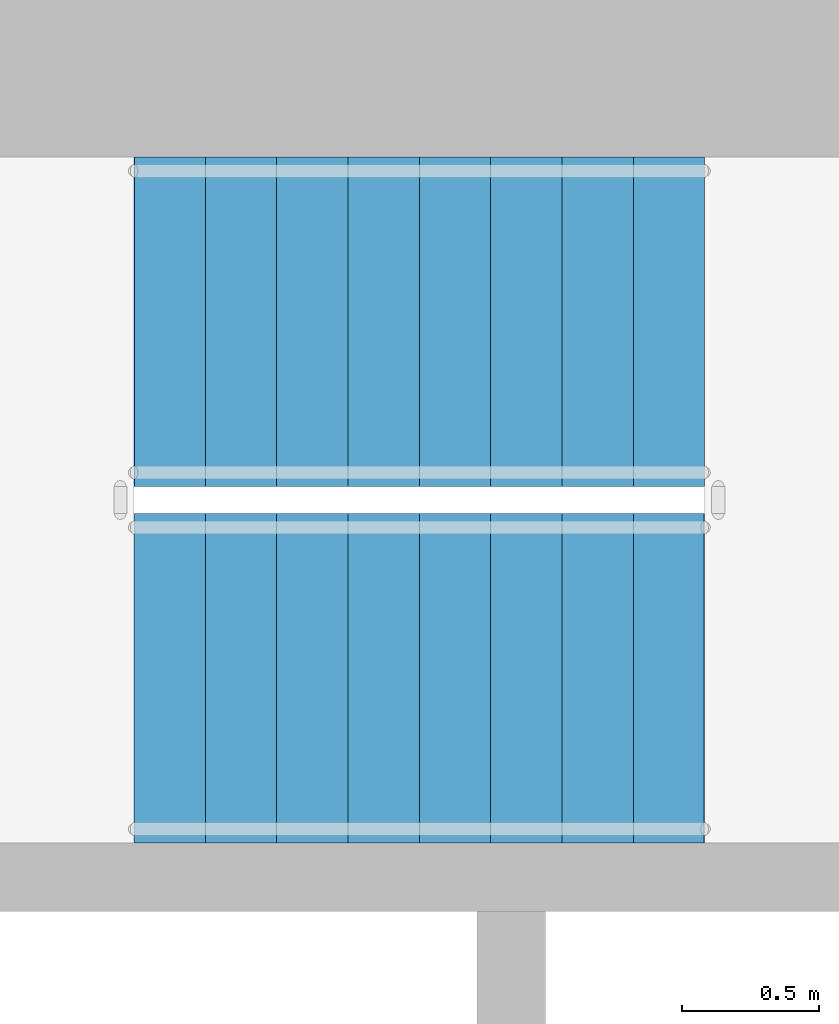
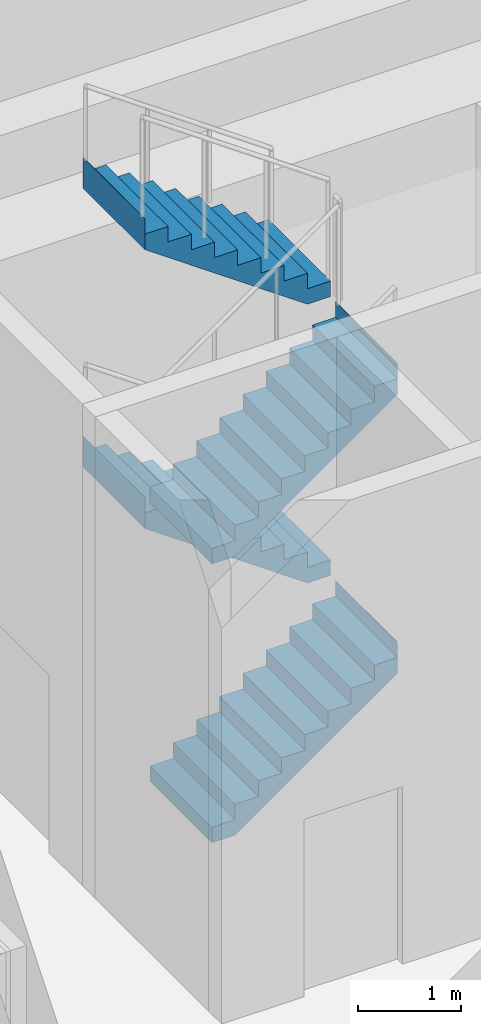
# One storey, part 11 of 18: 4 stair flights, 1 element without a shape of its own.
"""IFC4 building model written with IfcOpenShell, lengths in metres."""

from ifc_helpers import new_model, si_unit, direction, frame, origin, place, context, subcontext, project, spatial, triangles, material, type_object, element, aggregate, save


model = new_model("IFC4")

# Units and contexts
model_context = context("Model", 3, precision=1e-05, world=origin(), true_north=direction((0.0, 1.0)))
body_context = subcontext(model_context, "Body", "Model", "MODEL_VIEW")
ifc_project = project(units=[si_unit("LENGTHUNIT", "METRE"), si_unit("AREAUNIT", "SQUARE_METRE"), si_unit("VOLUMEUNIT", "CUBIC_METRE"), si_unit("PLANEANGLEUNIT", "RADIAN"), si_unit("MASSUNIT", "GRAM", prefix="KILO")], contexts=[model_context])

# Site, building, storey
site_placement = place(None, origin())
site = spatial("IfcSite", under=ifc_project, at=site_placement, CompositionType="ELEMENT")
building_placement = place(site_placement, origin())
building = spatial("IfcBuilding", under=site, at=building_placement, Name="Sahrelin Media Tower", CompositionType="ELEMENT")
storey_placement = place(building_placement, frame((0.0, 0.0, 203.0)))
storey = spatial("IfcBuildingStorey", under=building, at=storey_placement, Name="L43", CompositionType="ELEMENT", Elevation=203.0)

# Stair, stair flights
ifc_material = material(Name="Concrete C40/50", Category="concrete")
stair_type = type_object("IfcStairType", Name="Exit stair 1200", PredefinedType="HALF_TURN_STAIR", material=ifc_material)
stair_placement = place(storey_placement, origin())
stair = element("IfcStair", 1, at=stair_placement, inside=storey, type_object=stair_type, Name="L43 Exit stair ST1", PredefinedType="HALF_TURN_STAIR")
stair_flight_type = type_object("IfcStairFlightType", Name="Stair flight 1200", PredefinedType="STRAIGHT", material=ifc_material)
stair_flight_1_placement = place(storey_placement, frame((-7.675048828125, 4.699951171875, 0.0), z_axis=(0.0, 0.0, 1.0), x_axis=(1.0, 0.0, 0.0)))
stair_flight_1 = element("IfcStairFlight", 2, at=stair_flight_1_placement, type_object=stair_flight_type, Name="ST1 flight 1", NumberOfRisers=9, NumberOfTreads=8, PredefinedType="STRAIGHT", RiserHeight=0.183333333, TreadLength=0.26, context=body_context, shape_type="Tessellation", body=[
    triangles([(0.260009765625, 0.60009765625, 0.0), (0.260009765625, 0.300048828125, 0.0), (0.260009765625, 0.0, 0.0), (0.260009765625, -0.300048828125, 0.0), (0.260009765625, -0.60009765625, 0.0), (2.080078125, 0.60009765625, 1.283203125), (2.080078125, 0.300048828125, 1.283203125), (2.080078125, 0.0, 1.283203125), (2.080078125, -0.300048828125, 1.283203125), (2.080078125, -0.60009765625, 1.283203125), (2.080078125, 0.60009765625, 1.64990234375), (2.080078125, 0.300048828125, 1.64990234375), (2.080078125, 0.0, 1.64990234375), (2.080078125, -0.300048828125, 1.64990234375), (2.080078125, -0.60009765625, 1.64990234375), (2.077880859375, 0.60009765625, 1.64990234375), (2.077880859375, 0.300048828125, 1.64990234375), (2.077880859375, 0.0, 1.64990234375), (2.077880859375, -0.300048828125, 1.64990234375), (2.077880859375, -0.60009765625, 1.64990234375), (2.077880859375, 0.60009765625, 1.466552734375), (2.077880859375, 0.300048828125, 1.466552734375), (2.077880859375, 0.0, 1.466552734375), (2.077880859375, -0.300048828125, 1.466552734375), (2.077880859375, -0.60009765625, 1.466552734375), (1.820068359375, 0.60009765625, 1.466552734375), (1.820068359375, 0.300048828125, 1.466552734375), (1.820068359375, 0.0, 1.466552734375), (1.820068359375, -0.300048828125, 1.466552734375), (1.820068359375, -0.60009765625, 1.466552734375), (1.820068359375, 0.60009765625, 1.283447265625), (1.820068359375, 0.300048828125, 1.283447265625), (1.820068359375, 0.0, 1.283447265625), (1.820068359375, -0.300048828125, 1.283447265625), (1.820068359375, -0.60009765625, 1.283447265625), (1.56005859375, 0.60009765625, 1.283447265625), (1.56005859375, 0.300048828125, 1.283447265625), (1.56005859375, 0.0, 1.283447265625), (1.56005859375, -0.300048828125, 1.283447265625), (1.56005859375, -0.60009765625, 1.283447265625), (1.56005859375, 0.60009765625, 1.10009765625), (1.56005859375, 0.300048828125, 1.10009765625), (1.56005859375, 0.0, 1.10009765625), (1.56005859375, -0.300048828125, 1.10009765625), (1.56005859375, -0.60009765625, 1.10009765625), (1.300048828125, 0.60009765625, 1.10009765625), (1.300048828125, 0.300048828125, 1.10009765625), (1.300048828125, 0.0, 1.10009765625), (1.300048828125, -0.300048828125, 1.10009765625), (1.300048828125, -0.60009765625, 1.10009765625), (1.300048828125, 0.60009765625, 0.916748046875), (1.300048828125, 0.300048828125, 0.916748046875), (1.300048828125, 0.0, 0.916748046875), (1.300048828125, -0.300048828125, 0.916748046875), (1.300048828125, -0.60009765625, 0.916748046875), (1.0400390625, 0.60009765625, 0.916748046875), (1.0400390625, 0.300048828125, 0.916748046875), (1.0400390625, 0.0, 0.916748046875), (1.0400390625, -0.300048828125, 0.916748046875), (1.0400390625, -0.60009765625, 0.916748046875), (1.0400390625, 0.60009765625, 0.7333984375), (1.0400390625, 0.300048828125, 0.7333984375), (1.0400390625, 0.0, 0.7333984375), (1.0400390625, -0.300048828125, 0.7333984375), (1.0400390625, -0.60009765625, 0.7333984375), (0.780029296875, 0.60009765625, 0.7333984375), (0.780029296875, 0.300048828125, 0.7333984375), (0.780029296875, 0.0, 0.7333984375), (0.780029296875, -0.300048828125, 0.7333984375), (0.780029296875, -0.60009765625, 0.7333984375), (0.780029296875, 0.60009765625, 0.550048828125), (0.780029296875, 0.300048828125, 0.550048828125), (0.780029296875, 0.0, 0.550048828125), (0.780029296875, -0.300048828125, 0.550048828125), (0.780029296875, -0.60009765625, 0.550048828125), (0.52001953125, 0.60009765625, 0.550048828125), (0.52001953125, 0.300048828125, 0.550048828125), (0.52001953125, 0.0, 0.550048828125), (0.52001953125, -0.300048828125, 0.550048828125), (0.52001953125, -0.60009765625, 0.550048828125), (0.52001953125, 0.60009765625, 0.36669921875), (0.52001953125, 0.300048828125, 0.36669921875), (0.52001953125, 0.0, 0.36669921875), (0.52001953125, -0.300048828125, 0.36669921875), (0.52001953125, -0.60009765625, 0.36669921875), (0.260009765625, 0.60009765625, 0.36669921875), (0.260009765625, 0.300048828125, 0.36669921875), (0.260009765625, 0.0, 0.36669921875), (0.260009765625, -0.300048828125, 0.36669921875), (0.260009765625, -0.60009765625, 0.36669921875), (0.260009765625, 0.60009765625, 0.183349609375), (0.260009765625, 0.300048828125, 0.183349609375), (0.260009765625, 0.0, 0.183349609375), (0.260009765625, -0.300048828125, 0.183349609375), (0.260009765625, -0.60009765625, 0.183349609375), (0.0, 0.60009765625, 0.183349609375), (0.0, 0.300048828125, 0.183349609375), (0.0, 0.0, 0.183349609375), (0.0, -0.300048828125, 0.183349609375), (0.0, -0.60009765625, 0.183349609375), (0.0, 0.60009765625, 0.0), (0.0, 0.300048828125, 0.0), (0.0, 0.0, 0.0), (0.0, -0.300048828125, 0.0), (0.0, -0.60009765625, 0.0)], [[1, 6, 7], [1, 7, 2], [2, 7, 8], [2, 8, 3], [3, 8, 9], [3, 9, 4], [4, 9, 10], [4, 10, 5], [6, 11, 12], [6, 12, 7], [7, 12, 13], [7, 13, 8], [8, 13, 14], [8, 14, 9], [9, 14, 15], [9, 15, 10], [11, 16, 17], [11, 17, 12], [12, 17, 18], [12, 18, 13], [13, 18, 19], [13, 19, 14], [14, 19, 20], [14, 20, 15], [16, 21, 22], [16, 22, 17], [17, 22, 23], [17, 23, 18], [18, 23, 24], [18, 24, 19], [19, 24, 25], [19, 25, 20], [21, 26, 27], [21, 27, 22], [22, 27, 28], [22, 28, 23], [23, 28, 29], [23, 29, 24], [24, 29, 30], [24, 30, 25], [26, 31, 32], [26, 32, 27], [27, 32, 33], [27, 33, 28], [28, 33, 34], [28, 34, 29], [29, 34, 35], [29, 35, 30], [31, 36, 37], [31, 37, 32], [32, 37, 38], [32, 38, 33], [33, 38, 39], [33, 39, 34], [34, 39, 40], [34, 40, 35], [36, 41, 42], [36, 42, 37], [37, 42, 43], [37, 43, 38], [38, 43, 44], [38, 44, 39], [39, 44, 45], [39, 45, 40], [41, 46, 47], [41, 47, 42], [42, 47, 48], [42, 48, 43], [43, 48, 49], [43, 49, 44], [44, 49, 50], [44, 50, 45], [46, 51, 52], [46, 52, 47], [47, 52, 53], [47, 53, 48], [48, 53, 54], [48, 54, 49], [49, 54, 55], [49, 55, 50], [51, 56, 57], [51, 57, 52], [52, 57, 58], [52, 58, 53], [53, 58, 59], [53, 59, 54], [54, 59, 60], [54, 60, 55], [56, 61, 62], [56, 62, 57], [57, 62, 63], [57, 63, 58], [58, 63, 64], [58, 64, 59], [59, 64, 65], [59, 65, 60], [61, 66, 67], [61, 67, 62], [62, 67, 68], [62, 68, 63], [63, 68, 69], [63, 69, 64], [64, 69, 70], [64, 70, 65], [66, 71, 72], [66, 72, 67], [67, 72, 73], [67, 73, 68], [68, 73, 74], [68, 74, 69], [69, 74, 75], [69, 75, 70], [71, 76, 77], [71, 77, 72], [72, 77, 78], [72, 78, 73], [73, 78, 79], [73, 79, 74], [74, 79, 80], [74, 80, 75], [76, 81, 82], [76, 82, 77], [77, 82, 83], [77, 83, 78], [78, 83, 84], [78, 84, 79], [79, 84, 85], [79, 85, 80], [81, 86, 87], [81, 87, 82], [82, 87, 88], [82, 88, 83], [83, 88, 89], [83, 89, 84], [84, 89, 90], [84, 90, 85], [86, 91, 92], [86, 92, 87], [87, 92, 93], [87, 93, 88], [88, 93, 94], [88, 94, 89], [89, 94, 95], [89, 95, 90], [91, 96, 97], [91, 97, 92], [92, 97, 98], [92, 98, 93], [93, 98, 99], [93, 99, 94], [94, 99, 100], [94, 100, 95], [96, 101, 102], [96, 102, 97], [97, 102, 103], [97, 103, 98], [98, 103, 104], [98, 104, 99], [99, 104, 105], [99, 105, 100], [101, 1, 2], [101, 2, 102], [102, 2, 3], [102, 3, 103], [103, 3, 4], [103, 4, 104], [104, 4, 5], [104, 5, 105], [95, 100, 105], [91, 101, 96], [95, 85, 90], [91, 86, 81], [85, 75, 80], [81, 76, 71], [75, 65, 70], [71, 66, 61], [65, 55, 60], [61, 56, 51], [55, 45, 50], [51, 46, 41], [45, 35, 40], [41, 36, 31], [35, 25, 30], [31, 26, 21], [25, 15, 20], [21, 16, 11], [105, 5, 95], [101, 91, 1], [25, 10, 15], [21, 11, 6], [85, 95, 5], [81, 1, 91], [35, 10, 25], [31, 21, 6], [75, 85, 5], [71, 1, 81], [45, 10, 35], [41, 31, 6], [65, 75, 5], [61, 1, 71], [55, 10, 45], [51, 41, 6], [5, 10, 65], [1, 61, 6], [65, 10, 55], [61, 51, 6]], closed=True),
])
stair_flight_2_placement = place(storey_placement, frame((-5.594970703125, 6.0, 1.64990234375), z_axis=(0.0, 0.0, 1.0), x_axis=(-1.0, 0.0, 0.0)))
stair_flight_2 = element("IfcStairFlight", 3, at=stair_flight_2_placement, type_object=stair_flight_type, Name="ST1 flight 2", NumberOfRisers=9, NumberOfTreads=8, PredefinedType="STRAIGHT", RiserHeight=0.183333333, TreadLength=0.26, context=body_context, shape_type="Tessellation", body=[
    triangles([(0.260009765625, 0.60009765625, 0.0), (0.260009765625, 0.300048828125, 0.0), (0.260009765625, 0.0, 0.0), (0.260009765625, -0.300048828125, 0.0), (0.260009765625, -0.60009765625, 0.0), (2.080078125, 0.60009765625, 1.283203125), (2.080078125, 0.300048828125, 1.283203125), (2.080078125, 0.0, 1.283203125), (2.080078125, -0.300048828125, 1.283203125), (2.080078125, -0.60009765625, 1.283203125), (2.080078125, 0.60009765625, 1.64990234375), (2.080078125, 0.300048828125, 1.64990234375), (2.080078125, 0.0, 1.64990234375), (2.080078125, -0.300048828125, 1.64990234375), (2.080078125, -0.60009765625, 1.64990234375), (2.077880859375, 0.60009765625, 1.64990234375), (2.077880859375, 0.300048828125, 1.64990234375), (2.077880859375, 0.0, 1.64990234375), (2.077880859375, -0.300048828125, 1.64990234375), (2.077880859375, -0.60009765625, 1.64990234375), (2.077880859375, 0.60009765625, 1.466552734375), (2.077880859375, 0.300048828125, 1.466552734375), (2.077880859375, 0.0, 1.466552734375), (2.077880859375, -0.300048828125, 1.466552734375), (2.077880859375, -0.60009765625, 1.466552734375), (1.820068359375, 0.60009765625, 1.466552734375), (1.820068359375, 0.300048828125, 1.466552734375), (1.820068359375, 0.0, 1.466552734375), (1.820068359375, -0.300048828125, 1.466552734375), (1.820068359375, -0.60009765625, 1.466552734375), (1.820068359375, 0.60009765625, 1.283447265625), (1.820068359375, 0.300048828125, 1.283447265625), (1.820068359375, 0.0, 1.283447265625), (1.820068359375, -0.300048828125, 1.283447265625), (1.820068359375, -0.60009765625, 1.283447265625), (1.56005859375, 0.60009765625, 1.283447265625), (1.56005859375, 0.300048828125, 1.283447265625), (1.56005859375, 0.0, 1.283447265625), (1.56005859375, -0.300048828125, 1.283447265625), (1.56005859375, -0.60009765625, 1.283447265625), (1.56005859375, 0.60009765625, 1.10009765625), (1.56005859375, 0.300048828125, 1.10009765625), (1.56005859375, 0.0, 1.10009765625), (1.56005859375, -0.300048828125, 1.10009765625), (1.56005859375, -0.60009765625, 1.10009765625), (1.300048828125, 0.60009765625, 1.10009765625), (1.300048828125, 0.300048828125, 1.10009765625), (1.300048828125, 0.0, 1.10009765625), (1.300048828125, -0.300048828125, 1.10009765625), (1.300048828125, -0.60009765625, 1.10009765625), (1.300048828125, 0.60009765625, 0.916748046875), (1.300048828125, 0.300048828125, 0.916748046875), (1.300048828125, 0.0, 0.916748046875), (1.300048828125, -0.300048828125, 0.916748046875), (1.300048828125, -0.60009765625, 0.916748046875), (1.0400390625, 0.60009765625, 0.916748046875), (1.0400390625, 0.300048828125, 0.916748046875), (1.0400390625, 0.0, 0.916748046875), (1.0400390625, -0.300048828125, 0.916748046875), (1.0400390625, -0.60009765625, 0.916748046875), (1.0400390625, 0.60009765625, 0.7333984375), (1.0400390625, 0.300048828125, 0.7333984375), (1.0400390625, 0.0, 0.7333984375), (1.0400390625, -0.300048828125, 0.7333984375), (1.0400390625, -0.60009765625, 0.7333984375), (0.780029296875, 0.60009765625, 0.7333984375), (0.780029296875, 0.300048828125, 0.7333984375), (0.780029296875, 0.0, 0.7333984375), (0.780029296875, -0.300048828125, 0.7333984375), (0.780029296875, -0.60009765625, 0.7333984375), (0.780029296875, 0.60009765625, 0.550048828125), (0.780029296875, 0.300048828125, 0.550048828125), (0.780029296875, 0.0, 0.550048828125), (0.780029296875, -0.300048828125, 0.550048828125), (0.780029296875, -0.60009765625, 0.550048828125), (0.52001953125, 0.60009765625, 0.550048828125), (0.52001953125, 0.300048828125, 0.550048828125), (0.52001953125, 0.0, 0.550048828125), (0.52001953125, -0.300048828125, 0.550048828125), (0.52001953125, -0.60009765625, 0.550048828125), (0.52001953125, 0.60009765625, 0.36669921875), (0.52001953125, 0.300048828125, 0.36669921875), (0.52001953125, 0.0, 0.36669921875), (0.52001953125, -0.300048828125, 0.36669921875), (0.52001953125, -0.60009765625, 0.36669921875), (0.260009765625, 0.60009765625, 0.36669921875), (0.260009765625, 0.300048828125, 0.36669921875), (0.260009765625, 0.0, 0.36669921875), (0.260009765625, -0.300048828125, 0.36669921875), (0.260009765625, -0.60009765625, 0.36669921875), (0.260009765625, 0.60009765625, 0.183349609375), (0.260009765625, 0.300048828125, 0.183349609375), (0.260009765625, 0.0, 0.183349609375), (0.260009765625, -0.300048828125, 0.183349609375), (0.260009765625, -0.60009765625, 0.183349609375), (0.0, 0.60009765625, 0.183349609375), (0.0, 0.300048828125, 0.183349609375), (0.0, 0.0, 0.183349609375), (0.0, -0.300048828125, 0.183349609375), (0.0, -0.60009765625, 0.183349609375), (0.0, 0.60009765625, 0.0), (0.0, 0.300048828125, 0.0), (0.0, 0.0, 0.0), (0.0, -0.300048828125, 0.0), (0.0, -0.60009765625, 0.0)], [[1, 6, 7], [1, 7, 2], [2, 7, 8], [2, 8, 3], [3, 8, 9], [3, 9, 4], [4, 9, 10], [4, 10, 5], [6, 11, 12], [6, 12, 7], [7, 12, 13], [7, 13, 8], [8, 13, 14], [8, 14, 9], [9, 14, 15], [9, 15, 10], [11, 16, 17], [11, 17, 12], [12, 17, 18], [12, 18, 13], [13, 18, 19], [13, 19, 14], [14, 19, 20], [14, 20, 15], [16, 21, 22], [16, 22, 17], [17, 22, 23], [17, 23, 18], [18, 23, 24], [18, 24, 19], [19, 24, 25], [19, 25, 20], [21, 26, 27], [21, 27, 22], [22, 27, 28], [22, 28, 23], [23, 28, 29], [23, 29, 24], [24, 29, 30], [24, 30, 25], [26, 31, 32], [26, 32, 27], [27, 32, 33], [27, 33, 28], [28, 33, 34], [28, 34, 29], [29, 34, 35], [29, 35, 30], [31, 36, 37], [31, 37, 32], [32, 37, 38], [32, 38, 33], [33, 38, 39], [33, 39, 34], [34, 39, 40], [34, 40, 35], [36, 41, 42], [36, 42, 37], [37, 42, 43], [37, 43, 38], [38, 43, 44], [38, 44, 39], [39, 44, 45], [39, 45, 40], [41, 46, 47], [41, 47, 42], [42, 47, 48], [42, 48, 43], [43, 48, 49], [43, 49, 44], [44, 49, 50], [44, 50, 45], [46, 51, 52], [46, 52, 47], [47, 52, 53], [47, 53, 48], [48, 53, 54], [48, 54, 49], [49, 54, 55], [49, 55, 50], [51, 56, 57], [51, 57, 52], [52, 57, 58], [52, 58, 53], [53, 58, 59], [53, 59, 54], [54, 59, 60], [54, 60, 55], [56, 61, 62], [56, 62, 57], [57, 62, 63], [57, 63, 58], [58, 63, 64], [58, 64, 59], [59, 64, 65], [59, 65, 60], [61, 66, 67], [61, 67, 62], [62, 67, 68], [62, 68, 63], [63, 68, 69], [63, 69, 64], [64, 69, 70], [64, 70, 65], [66, 71, 72], [66, 72, 67], [67, 72, 73], [67, 73, 68], [68, 73, 74], [68, 74, 69], [69, 74, 75], [69, 75, 70], [71, 76, 77], [71, 77, 72], [72, 77, 78], [72, 78, 73], [73, 78, 79], [73, 79, 74], [74, 79, 80], [74, 80, 75], [76, 81, 82], [76, 82, 77], [77, 82, 83], [77, 83, 78], [78, 83, 84], [78, 84, 79], [79, 84, 85], [79, 85, 80], [81, 86, 87], [81, 87, 82], [82, 87, 88], [82, 88, 83], [83, 88, 89], [83, 89, 84], [84, 89, 90], [84, 90, 85], [86, 91, 92], [86, 92, 87], [87, 92, 93], [87, 93, 88], [88, 93, 94], [88, 94, 89], [89, 94, 95], [89, 95, 90], [91, 96, 97], [91, 97, 92], [92, 97, 98], [92, 98, 93], [93, 98, 99], [93, 99, 94], [94, 99, 100], [94, 100, 95], [96, 101, 102], [96, 102, 97], [97, 102, 103], [97, 103, 98], [98, 103, 104], [98, 104, 99], [99, 104, 105], [99, 105, 100], [101, 1, 2], [101, 2, 102], [102, 2, 3], [102, 3, 103], [103, 3, 4], [103, 4, 104], [104, 4, 5], [104, 5, 105], [95, 100, 105], [91, 101, 96], [95, 85, 90], [91, 86, 81], [85, 75, 80], [81, 76, 71], [75, 65, 70], [71, 66, 61], [65, 55, 60], [61, 56, 51], [55, 45, 50], [51, 46, 41], [45, 35, 40], [41, 36, 31], [35, 25, 30], [31, 26, 21], [25, 15, 20], [21, 16, 11], [105, 5, 95], [101, 91, 1], [25, 10, 15], [21, 11, 6], [85, 95, 5], [81, 1, 91], [35, 10, 25], [31, 21, 6], [75, 85, 5], [71, 1, 81], [45, 10, 35], [41, 31, 6], [65, 75, 5], [61, 1, 71], [55, 10, 45], [51, 41, 6], [5, 10, 65], [1, 61, 6], [65, 10, 55], [61, 51, 6]], closed=True),
])
stair_flight_3_placement = place(storey_placement, frame((-7.675048828125, 4.699951171875, 3.300048828125), z_axis=(0.0, 0.0, 1.0), x_axis=(1.0, 0.0, 0.0)))
stair_flight_3 = element("IfcStairFlight", 4, at=stair_flight_3_placement, type_object=stair_flight_type, Name="ST1 flight 3", NumberOfRisers=9, NumberOfTreads=8, PredefinedType="STRAIGHT", RiserHeight=0.183333333, TreadLength=0.26, context=body_context, shape_type="Tessellation", body=[
    triangles([(0.260009765625, 0.60009765625, 0.0), (0.260009765625, 0.300048828125, 0.0), (0.260009765625, 0.0, 0.0), (0.260009765625, -0.300048828125, 0.0), (0.260009765625, -0.60009765625, 0.0), (2.080078125, 0.60009765625, 1.283203125), (2.080078125, 0.300048828125, 1.283203125), (2.080078125, 0.0, 1.283203125), (2.080078125, -0.300048828125, 1.283203125), (2.080078125, -0.60009765625, 1.283203125), (2.080078125, 0.60009765625, 1.64990234375), (2.080078125, 0.300048828125, 1.64990234375), (2.080078125, 0.0, 1.64990234375), (2.080078125, -0.300048828125, 1.64990234375), (2.080078125, -0.60009765625, 1.64990234375), (2.077880859375, 0.60009765625, 1.64990234375), (2.077880859375, 0.300048828125, 1.64990234375), (2.077880859375, 0.0, 1.64990234375), (2.077880859375, -0.300048828125, 1.64990234375), (2.077880859375, -0.60009765625, 1.64990234375), (2.077880859375, 0.60009765625, 1.466552734375), (2.077880859375, 0.300048828125, 1.466552734375), (2.077880859375, 0.0, 1.466552734375), (2.077880859375, -0.300048828125, 1.466552734375), (2.077880859375, -0.60009765625, 1.466552734375), (1.820068359375, 0.60009765625, 1.466552734375), (1.820068359375, 0.300048828125, 1.466552734375), (1.820068359375, 0.0, 1.466552734375), (1.820068359375, -0.300048828125, 1.466552734375), (1.820068359375, -0.60009765625, 1.466552734375), (1.820068359375, 0.60009765625, 1.283447265625), (1.820068359375, 0.300048828125, 1.283447265625), (1.820068359375, 0.0, 1.283447265625), (1.820068359375, -0.300048828125, 1.283447265625), (1.820068359375, -0.60009765625, 1.283447265625), (1.56005859375, 0.60009765625, 1.283447265625), (1.56005859375, 0.300048828125, 1.283447265625), (1.56005859375, 0.0, 1.283447265625), (1.56005859375, -0.300048828125, 1.283447265625), (1.56005859375, -0.60009765625, 1.283447265625), (1.56005859375, 0.60009765625, 1.10009765625), (1.56005859375, 0.300048828125, 1.10009765625), (1.56005859375, 0.0, 1.10009765625), (1.56005859375, -0.300048828125, 1.10009765625), (1.56005859375, -0.60009765625, 1.10009765625), (1.300048828125, 0.60009765625, 1.10009765625), (1.300048828125, 0.300048828125, 1.10009765625), (1.300048828125, 0.0, 1.10009765625), (1.300048828125, -0.300048828125, 1.10009765625), (1.300048828125, -0.60009765625, 1.10009765625), (1.300048828125, 0.60009765625, 0.916748046875), (1.300048828125, 0.300048828125, 0.916748046875), (1.300048828125, 0.0, 0.916748046875), (1.300048828125, -0.300048828125, 0.916748046875), (1.300048828125, -0.60009765625, 0.916748046875), (1.0400390625, 0.60009765625, 0.916748046875), (1.0400390625, 0.300048828125, 0.916748046875), (1.0400390625, 0.0, 0.916748046875), (1.0400390625, -0.300048828125, 0.916748046875), (1.0400390625, -0.60009765625, 0.916748046875), (1.0400390625, 0.60009765625, 0.7333984375), (1.0400390625, 0.300048828125, 0.7333984375), (1.0400390625, 0.0, 0.7333984375), (1.0400390625, -0.300048828125, 0.7333984375), (1.0400390625, -0.60009765625, 0.7333984375), (0.780029296875, 0.60009765625, 0.7333984375), (0.780029296875, 0.300048828125, 0.7333984375), (0.780029296875, 0.0, 0.7333984375), (0.780029296875, -0.300048828125, 0.7333984375), (0.780029296875, -0.60009765625, 0.7333984375), (0.780029296875, 0.60009765625, 0.550048828125), (0.780029296875, 0.300048828125, 0.550048828125), (0.780029296875, 0.0, 0.550048828125), (0.780029296875, -0.300048828125, 0.550048828125), (0.780029296875, -0.60009765625, 0.550048828125), (0.52001953125, 0.60009765625, 0.550048828125), (0.52001953125, 0.300048828125, 0.550048828125), (0.52001953125, 0.0, 0.550048828125), (0.52001953125, -0.300048828125, 0.550048828125), (0.52001953125, -0.60009765625, 0.550048828125), (0.52001953125, 0.60009765625, 0.36669921875), (0.52001953125, 0.300048828125, 0.36669921875), (0.52001953125, 0.0, 0.36669921875), (0.52001953125, -0.300048828125, 0.36669921875), (0.52001953125, -0.60009765625, 0.36669921875), (0.260009765625, 0.60009765625, 0.36669921875), (0.260009765625, 0.300048828125, 0.36669921875), (0.260009765625, 0.0, 0.36669921875), (0.260009765625, -0.300048828125, 0.36669921875), (0.260009765625, -0.60009765625, 0.36669921875), (0.260009765625, 0.60009765625, 0.183349609375), (0.260009765625, 0.300048828125, 0.183349609375), (0.260009765625, 0.0, 0.183349609375), (0.260009765625, -0.300048828125, 0.183349609375), (0.260009765625, -0.60009765625, 0.183349609375), (0.0, 0.60009765625, 0.183349609375), (0.0, 0.300048828125, 0.183349609375), (0.0, 0.0, 0.183349609375), (0.0, -0.300048828125, 0.183349609375), (0.0, -0.60009765625, 0.183349609375), (0.0, 0.60009765625, 0.0), (0.0, 0.300048828125, 0.0), (0.0, 0.0, 0.0), (0.0, -0.300048828125, 0.0), (0.0, -0.60009765625, 0.0)], [[1, 6, 7], [1, 7, 2], [2, 7, 8], [2, 8, 3], [3, 8, 9], [3, 9, 4], [4, 9, 10], [4, 10, 5], [6, 11, 12], [6, 12, 7], [7, 12, 13], [7, 13, 8], [8, 13, 14], [8, 14, 9], [9, 14, 15], [9, 15, 10], [11, 16, 17], [11, 17, 12], [12, 17, 18], [12, 18, 13], [13, 18, 19], [13, 19, 14], [14, 19, 20], [14, 20, 15], [16, 21, 22], [16, 22, 17], [17, 22, 23], [17, 23, 18], [18, 23, 24], [18, 24, 19], [19, 24, 25], [19, 25, 20], [21, 26, 27], [21, 27, 22], [22, 27, 28], [22, 28, 23], [23, 28, 29], [23, 29, 24], [24, 29, 30], [24, 30, 25], [26, 31, 32], [26, 32, 27], [27, 32, 33], [27, 33, 28], [28, 33, 34], [28, 34, 29], [29, 34, 35], [29, 35, 30], [31, 36, 37], [31, 37, 32], [32, 37, 38], [32, 38, 33], [33, 38, 39], [33, 39, 34], [34, 39, 40], [34, 40, 35], [36, 41, 42], [36, 42, 37], [37, 42, 43], [37, 43, 38], [38, 43, 44], [38, 44, 39], [39, 44, 45], [39, 45, 40], [41, 46, 47], [41, 47, 42], [42, 47, 48], [42, 48, 43], [43, 48, 49], [43, 49, 44], [44, 49, 50], [44, 50, 45], [46, 51, 52], [46, 52, 47], [47, 52, 53], [47, 53, 48], [48, 53, 54], [48, 54, 49], [49, 54, 55], [49, 55, 50], [51, 56, 57], [51, 57, 52], [52, 57, 58], [52, 58, 53], [53, 58, 59], [53, 59, 54], [54, 59, 60], [54, 60, 55], [56, 61, 62], [56, 62, 57], [57, 62, 63], [57, 63, 58], [58, 63, 64], [58, 64, 59], [59, 64, 65], [59, 65, 60], [61, 66, 67], [61, 67, 62], [62, 67, 68], [62, 68, 63], [63, 68, 69], [63, 69, 64], [64, 69, 70], [64, 70, 65], [66, 71, 72], [66, 72, 67], [67, 72, 73], [67, 73, 68], [68, 73, 74], [68, 74, 69], [69, 74, 75], [69, 75, 70], [71, 76, 77], [71, 77, 72], [72, 77, 78], [72, 78, 73], [73, 78, 79], [73, 79, 74], [74, 79, 80], [74, 80, 75], [76, 81, 82], [76, 82, 77], [77, 82, 83], [77, 83, 78], [78, 83, 84], [78, 84, 79], [79, 84, 85], [79, 85, 80], [81, 86, 87], [81, 87, 82], [82, 87, 88], [82, 88, 83], [83, 88, 89], [83, 89, 84], [84, 89, 90], [84, 90, 85], [86, 91, 92], [86, 92, 87], [87, 92, 93], [87, 93, 88], [88, 93, 94], [88, 94, 89], [89, 94, 95], [89, 95, 90], [91, 96, 97], [91, 97, 92], [92, 97, 98], [92, 98, 93], [93, 98, 99], [93, 99, 94], [94, 99, 100], [94, 100, 95], [96, 101, 102], [96, 102, 97], [97, 102, 103], [97, 103, 98], [98, 103, 104], [98, 104, 99], [99, 104, 105], [99, 105, 100], [101, 1, 2], [101, 2, 102], [102, 2, 3], [102, 3, 103], [103, 3, 4], [103, 4, 104], [104, 4, 5], [104, 5, 105], [95, 100, 105], [91, 101, 96], [95, 85, 90], [91, 86, 81], [85, 75, 80], [81, 76, 71], [75, 65, 70], [71, 66, 61], [65, 55, 60], [61, 56, 51], [55, 45, 50], [51, 46, 41], [45, 35, 40], [41, 36, 31], [35, 25, 30], [31, 26, 21], [25, 15, 20], [21, 16, 11], [105, 5, 95], [101, 91, 1], [25, 10, 15], [21, 11, 6], [85, 95, 5], [81, 1, 91], [35, 10, 25], [31, 21, 6], [75, 85, 5], [71, 1, 81], [45, 10, 35], [41, 31, 6], [65, 75, 5], [61, 1, 71], [55, 10, 45], [51, 41, 6], [5, 10, 65], [1, 61, 6], [65, 10, 55], [61, 51, 6]], closed=True),
])
stair_flight_4_placement = place(storey_placement, frame((-5.594970703125, 6.0, 4.949951171875), z_axis=(0.0, 0.0, 1.0), x_axis=(-1.0, 0.0, 0.0)))
stair_flight_4 = element("IfcStairFlight", 5, at=stair_flight_4_placement, type_object=stair_flight_type, Name="ST1 flight 4", NumberOfRisers=9, NumberOfTreads=8, PredefinedType="STRAIGHT", RiserHeight=0.183333333, TreadLength=0.26, context=body_context, shape_type="Tessellation", body=[
    triangles([(0.260009765625, 0.60009765625, 0.0), (0.260009765625, 0.300048828125, 0.0), (0.260009765625, 0.0, 0.0), (0.260009765625, -0.300048828125, 0.0), (0.260009765625, -0.60009765625, 0.0), (2.080078125, 0.60009765625, 1.283203125), (2.080078125, 0.300048828125, 1.283203125), (2.080078125, 0.0, 1.283203125), (2.080078125, -0.300048828125, 1.283203125), (2.080078125, -0.60009765625, 1.283203125), (2.080078125, 0.60009765625, 1.64990234375), (2.080078125, 0.300048828125, 1.64990234375), (2.080078125, 0.0, 1.64990234375), (2.080078125, -0.300048828125, 1.64990234375), (2.080078125, -0.60009765625, 1.64990234375), (2.077880859375, 0.60009765625, 1.64990234375), (2.077880859375, 0.300048828125, 1.64990234375), (2.077880859375, 0.0, 1.64990234375), (2.077880859375, -0.300048828125, 1.64990234375), (2.077880859375, -0.60009765625, 1.64990234375), (2.077880859375, 0.60009765625, 1.466552734375), (2.077880859375, 0.300048828125, 1.466552734375), (2.077880859375, 0.0, 1.466552734375), (2.077880859375, -0.300048828125, 1.466552734375), (2.077880859375, -0.60009765625, 1.466552734375), (1.820068359375, 0.60009765625, 1.466552734375), (1.820068359375, 0.300048828125, 1.466552734375), (1.820068359375, 0.0, 1.466552734375), (1.820068359375, -0.300048828125, 1.466552734375), (1.820068359375, -0.60009765625, 1.466552734375), (1.820068359375, 0.60009765625, 1.283447265625), (1.820068359375, 0.300048828125, 1.283447265625), (1.820068359375, 0.0, 1.283447265625), (1.820068359375, -0.300048828125, 1.283447265625), (1.820068359375, -0.60009765625, 1.283447265625), (1.56005859375, 0.60009765625, 1.283447265625), (1.56005859375, 0.300048828125, 1.283447265625), (1.56005859375, 0.0, 1.283447265625), (1.56005859375, -0.300048828125, 1.283447265625), (1.56005859375, -0.60009765625, 1.283447265625), (1.56005859375, 0.60009765625, 1.10009765625), (1.56005859375, 0.300048828125, 1.10009765625), (1.56005859375, 0.0, 1.10009765625), (1.56005859375, -0.300048828125, 1.10009765625), (1.56005859375, -0.60009765625, 1.10009765625), (1.300048828125, 0.60009765625, 1.10009765625), (1.300048828125, 0.300048828125, 1.10009765625), (1.300048828125, 0.0, 1.10009765625), (1.300048828125, -0.300048828125, 1.10009765625), (1.300048828125, -0.60009765625, 1.10009765625), (1.300048828125, 0.60009765625, 0.916748046875), (1.300048828125, 0.300048828125, 0.916748046875), (1.300048828125, 0.0, 0.916748046875), (1.300048828125, -0.300048828125, 0.916748046875), (1.300048828125, -0.60009765625, 0.916748046875), (1.0400390625, 0.60009765625, 0.916748046875), (1.0400390625, 0.300048828125, 0.916748046875), (1.0400390625, 0.0, 0.916748046875), (1.0400390625, -0.300048828125, 0.916748046875), (1.0400390625, -0.60009765625, 0.916748046875), (1.0400390625, 0.60009765625, 0.7333984375), (1.0400390625, 0.300048828125, 0.7333984375), (1.0400390625, 0.0, 0.7333984375), (1.0400390625, -0.300048828125, 0.7333984375), (1.0400390625, -0.60009765625, 0.7333984375), (0.780029296875, 0.60009765625, 0.7333984375), (0.780029296875, 0.300048828125, 0.7333984375), (0.780029296875, 0.0, 0.7333984375), (0.780029296875, -0.300048828125, 0.7333984375), (0.780029296875, -0.60009765625, 0.7333984375), (0.780029296875, 0.60009765625, 0.550048828125), (0.780029296875, 0.300048828125, 0.550048828125), (0.780029296875, 0.0, 0.550048828125), (0.780029296875, -0.300048828125, 0.550048828125), (0.780029296875, -0.60009765625, 0.550048828125), (0.52001953125, 0.60009765625, 0.550048828125), (0.52001953125, 0.300048828125, 0.550048828125), (0.52001953125, 0.0, 0.550048828125), (0.52001953125, -0.300048828125, 0.550048828125), (0.52001953125, -0.60009765625, 0.550048828125), (0.52001953125, 0.60009765625, 0.36669921875), (0.52001953125, 0.300048828125, 0.36669921875), (0.52001953125, 0.0, 0.36669921875), (0.52001953125, -0.300048828125, 0.36669921875), (0.52001953125, -0.60009765625, 0.36669921875), (0.260009765625, 0.60009765625, 0.36669921875), (0.260009765625, 0.300048828125, 0.36669921875), (0.260009765625, 0.0, 0.36669921875), (0.260009765625, -0.300048828125, 0.36669921875), (0.260009765625, -0.60009765625, 0.36669921875), (0.260009765625, 0.60009765625, 0.183349609375), (0.260009765625, 0.300048828125, 0.183349609375), (0.260009765625, 0.0, 0.183349609375), (0.260009765625, -0.300048828125, 0.183349609375), (0.260009765625, -0.60009765625, 0.183349609375), (0.0, 0.60009765625, 0.183349609375), (0.0, 0.300048828125, 0.183349609375), (0.0, 0.0, 0.183349609375), (0.0, -0.300048828125, 0.183349609375), (0.0, -0.60009765625, 0.183349609375), (0.0, 0.60009765625, 0.0), (0.0, 0.300048828125, 0.0), (0.0, 0.0, 0.0), (0.0, -0.300048828125, 0.0), (0.0, -0.60009765625, 0.0)], [[1, 6, 7], [1, 7, 2], [2, 7, 8], [2, 8, 3], [3, 8, 9], [3, 9, 4], [4, 9, 10], [4, 10, 5], [6, 11, 12], [6, 12, 7], [7, 12, 13], [7, 13, 8], [8, 13, 14], [8, 14, 9], [9, 14, 15], [9, 15, 10], [11, 16, 17], [11, 17, 12], [12, 17, 18], [12, 18, 13], [13, 18, 19], [13, 19, 14], [14, 19, 20], [14, 20, 15], [16, 21, 22], [16, 22, 17], [17, 22, 23], [17, 23, 18], [18, 23, 24], [18, 24, 19], [19, 24, 25], [19, 25, 20], [21, 26, 27], [21, 27, 22], [22, 27, 28], [22, 28, 23], [23, 28, 29], [23, 29, 24], [24, 29, 30], [24, 30, 25], [26, 31, 32], [26, 32, 27], [27, 32, 33], [27, 33, 28], [28, 33, 34], [28, 34, 29], [29, 34, 35], [29, 35, 30], [31, 36, 37], [31, 37, 32], [32, 37, 38], [32, 38, 33], [33, 38, 39], [33, 39, 34], [34, 39, 40], [34, 40, 35], [36, 41, 42], [36, 42, 37], [37, 42, 43], [37, 43, 38], [38, 43, 44], [38, 44, 39], [39, 44, 45], [39, 45, 40], [41, 46, 47], [41, 47, 42], [42, 47, 48], [42, 48, 43], [43, 48, 49], [43, 49, 44], [44, 49, 50], [44, 50, 45], [46, 51, 52], [46, 52, 47], [47, 52, 53], [47, 53, 48], [48, 53, 54], [48, 54, 49], [49, 54, 55], [49, 55, 50], [51, 56, 57], [51, 57, 52], [52, 57, 58], [52, 58, 53], [53, 58, 59], [53, 59, 54], [54, 59, 60], [54, 60, 55], [56, 61, 62], [56, 62, 57], [57, 62, 63], [57, 63, 58], [58, 63, 64], [58, 64, 59], [59, 64, 65], [59, 65, 60], [61, 66, 67], [61, 67, 62], [62, 67, 68], [62, 68, 63], [63, 68, 69], [63, 69, 64], [64, 69, 70], [64, 70, 65], [66, 71, 72], [66, 72, 67], [67, 72, 73], [67, 73, 68], [68, 73, 74], [68, 74, 69], [69, 74, 75], [69, 75, 70], [71, 76, 77], [71, 77, 72], [72, 77, 78], [72, 78, 73], [73, 78, 79], [73, 79, 74], [74, 79, 80], [74, 80, 75], [76, 81, 82], [76, 82, 77], [77, 82, 83], [77, 83, 78], [78, 83, 84], [78, 84, 79], [79, 84, 85], [79, 85, 80], [81, 86, 87], [81, 87, 82], [82, 87, 88], [82, 88, 83], [83, 88, 89], [83, 89, 84], [84, 89, 90], [84, 90, 85], [86, 91, 92], [86, 92, 87], [87, 92, 93], [87, 93, 88], [88, 93, 94], [88, 94, 89], [89, 94, 95], [89, 95, 90], [91, 96, 97], [91, 97, 92], [92, 97, 98], [92, 98, 93], [93, 98, 99], [93, 99, 94], [94, 99, 100], [94, 100, 95], [96, 101, 102], [96, 102, 97], [97, 102, 103], [97, 103, 98], [98, 103, 104], [98, 104, 99], [99, 104, 105], [99, 105, 100], [101, 1, 2], [101, 2, 102], [102, 2, 3], [102, 3, 103], [103, 3, 4], [103, 4, 104], [104, 4, 5], [104, 5, 105], [95, 100, 105], [91, 101, 96], [95, 85, 90], [91, 86, 81], [85, 75, 80], [81, 76, 71], [75, 65, 70], [71, 66, 61], [65, 55, 60], [61, 56, 51], [55, 45, 50], [51, 46, 41], [45, 35, 40], [41, 36, 31], [35, 25, 30], [31, 26, 21], [25, 15, 20], [21, 16, 11], [105, 5, 95], [101, 91, 1], [25, 10, 15], [21, 11, 6], [85, 95, 5], [81, 1, 91], [35, 10, 25], [31, 21, 6], [75, 85, 5], [71, 1, 81], [45, 10, 35], [41, 31, 6], [65, 75, 5], [61, 1, 71], [55, 10, 45], [51, 41, 6], [5, 10, 65], [1, 61, 6], [65, 10, 55], [61, 51, 6]], closed=True),
])
aggregate(stair, [stair_flight_1, stair_flight_2, stair_flight_3, stair_flight_4])

save(model, "model.ifc")
